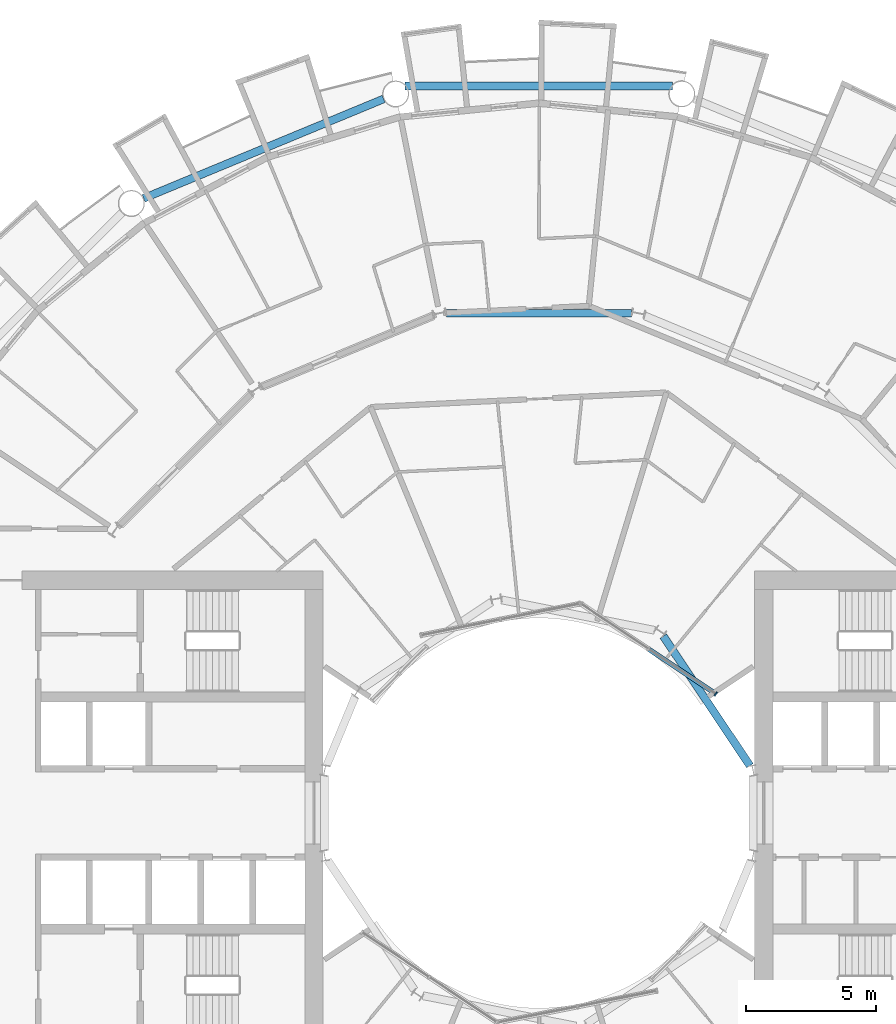
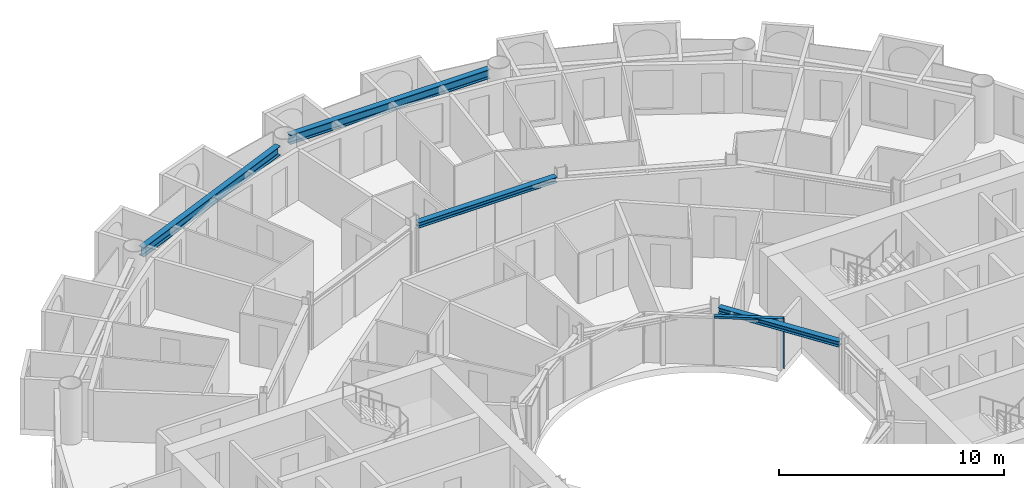
# One storey, part 8 of 26: 4 beams, 2 members, 1 element without a shape of its own.
"""IFC4 building model written with IfcOpenShell, lengths in metres."""

from ifc_helpers import new_model, si_unit, direction, frame, origin, origin_2d, place, context, subcontext, project, spatial, rectangle, i_section, extrude, material, layer, layer_set, material_profile, profile_set, type_object, element, aggregate, save


model = new_model("IFC4")

# Units and contexts
model_context = context("Model", 3, precision=1e-05, world=origin(), true_north=direction((0.0, 1.0)))
body_context = subcontext(model_context, "Body", "Model", "MODEL_VIEW")
ifc_project = project(units=[si_unit("LENGTHUNIT", "METRE"), si_unit("AREAUNIT", "SQUARE_METRE"), si_unit("VOLUMEUNIT", "CUBIC_METRE"), si_unit("PLANEANGLEUNIT", "RADIAN"), si_unit("MASSUNIT", "GRAM", prefix="KILO")], contexts=[model_context])

# Site, building, storey
site_placement = place(None, origin())
site = spatial("IfcSite", under=ifc_project, at=site_placement, CompositionType="ELEMENT")
building_placement = place(site_placement, origin())
building = spatial("IfcBuilding", under=site, at=building_placement, Name="Maasbend Ring Residences", CompositionType="ELEMENT")
storey_placement = place(building_placement, frame((0.0, 0.0, 69.699951171875)))
storey = spatial("IfcBuildingStorey", under=building, at=storey_placement, Name="L19", CompositionType="ELEMENT", Elevation=69.699951171875)

# Curtain wall, members
ifc_material_1 = material(Name="Aluminium and clear glass", Category="aluminium")
ifc_layer = layer(ifc_material_1, 0.179931640625)
ifc_layer_set = layer_set([ifc_layer], Name="CW-W")
curtain_wall_type = type_object("IfcCurtainWallType", Name="CW-W", PredefinedType="NOTDEFINED", material=ifc_layer_set)
curtain_wall_placement = place(storey_placement, origin())
curtain_wall = element("IfcCurtainWall", 1, at=curtain_wall_placement, inside=storey, type_object=curtain_wall_type, Name="Well curtain wall N1", PredefinedType="NOTDEFINED")
ifc_material_2 = material(Name="Aluminium 6063-T6", Category="aluminium")
ifc_material_profile_1 = material_profile(ifc_material_2, rectangle(XDim=0.179931640625, YDim=0.06005859375, at=origin_2d()), Name="AL 180x60")
ifc_profile_set_1 = profile_set([ifc_material_profile_1], Name="Aluminium 6063-T6")
member_type_1 = type_object("IfcMemberType", Name="CWM-W", PredefinedType="MULLION", material=ifc_profile_set_1)
member_1_placement = place(storey_placement, frame((6.805908203125, 4.580810546875, 0.0), z_axis=(0.0, 0.0, 1.0), x_axis=(-0.55557023302, -0.831469612303, 0.0)))
member_1 = element("IfcMember", 2, at=member_1_placement, type_object=member_type_1, Name="Mullion well face", PredefinedType="MULLION", context=body_context, shape_type="SweptSolid", body=[
    extrude(rectangle(XDim=0.179931640625, YDim=0.06005859375, at=origin_2d()), origin(), (0.0, 0.0, 1.0), 2.699951171875),
])
ifc_material_3 = material(Name="Aluminium 6063-T6", Category="aluminium")
ifc_material_profile_2 = material_profile(ifc_material_3, rectangle(XDim=0.179931640625, YDim=0.1201171875, at=origin_2d()), Name="AL 180x120")
ifc_profile_set_2 = profile_set([ifc_material_profile_2], Name="Aluminium 6063-T6")
member_type_2 = type_object("IfcMemberType", Name="CWT-W", PredefinedType="USERDEFINED", material=ifc_profile_set_2)
member_2_placement = place(storey_placement, frame((6.781005859375, 4.59765625, 2.64013671875), z_axis=(-0.831496422459, 0.555530106689, 0.0), x_axis=(-0.555530106689, -0.831496422459, 0.0)))
member_2 = element("IfcMember", 3, at=member_2_placement, type_object=member_type_2, Name="Transom well face", ObjectType="TRANSOM", PredefinedType="USERDEFINED", context=body_context, shape_type="SweptSolid", body=[
    extrude(rectangle(XDim=0.179931640625, YDim=0.1201171875, at=origin_2d()), origin(), (0.0, 0.0, 1.0), 3.053955078125),
])
aggregate(curtain_wall, [member_1, member_2])

# Beams
ifc_material_4 = material(Name="Steel S355J2", Category="steel")
ifc_material_profile_3 = material_profile(ifc_material_4, i_section(OverallWidth=0.300048828125, OverallDepth=0.300048828125, WebThickness=0.010986328125, FlangeThickness=0.01904296875, FilletRadius=0.027099609375, at=origin_2d()), Name="HEB 300")
ifc_profile_set_3 = profile_set([ifc_material_profile_3], Name="Steel S355J2")
beam_type_1 = type_object("IfcBeamType", Name="Corridor ring beam HEB 300", PredefinedType="BEAM", material=ifc_profile_set_3)
beam_1_placement = place(storey_placement, frame((3.556640625, 19.223388671875, 2.550048828125), z_axis=(-1.0, 0.0, 0.0), x_axis=(0.0, -1.0, 0.0)))
element("IfcBeam", 4, at=beam_1_placement, inside=storey, type_object=beam_type_1, Name="Corridor ring beam", PredefinedType="BEAM", context=body_context, shape_type="SweptSolid", body=[
    extrude(i_section(OverallWidth=0.300048828125, OverallDepth=0.300048828125, WebThickness=0.010986328125, FlangeThickness=0.01904296875, FilletRadius=0.027099609375, at=origin_2d()), origin(), (0.0, 0.0, 1.0), 7.11328125),
])
ifc_material_5 = material(Name="Steel S355J2", Category="steel")
ifc_material_profile_4 = material_profile(ifc_material_5, i_section(OverallWidth=0.300048828125, OverallDepth=0.5, WebThickness=0.014404296875, FlangeThickness=0.028076171875, FilletRadius=0.027099609375, at=origin_2d()), Name="HEB 500")
ifc_profile_set_4 = profile_set([ifc_material_profile_4], Name="Steel S355J2")
beam_type_2 = type_object("IfcBeamType", Name="Spandrel ring beam HEB 500", PredefinedType="SPANDREL", material=ifc_profile_set_4)
beam_2_placement = place(storey_placement, frame((5.1435546875, 27.9580078125, 2.449951171875), z_axis=(-1.0, 0.0, 0.0), x_axis=(0.0, -1.0, 0.0)))
element("IfcBeam", 5, at=beam_2_placement, inside=storey, type_object=beam_type_2, Name="Spandrel ring beam", PredefinedType="SPANDREL", context=body_context, shape_type="SweptSolid", body=[
    extrude(i_section(OverallWidth=0.300048828125, OverallDepth=0.5, WebThickness=0.014404296875, FlangeThickness=0.028076171875, FilletRadius=0.027099609375, at=origin_2d()), origin(), (0.0, 0.0, 1.0), 10.287109375),
])
beam_3_placement = place(storey_placement, frame((-5.970703125, 27.463623046875, 2.449951171875), z_axis=(-0.923886337442, -0.382667003395, 0.0), x_axis=(0.382667003395, -0.923886337442, 0.0)))
element("IfcBeam", 6, at=beam_3_placement, inside=storey, type_object=beam_type_2, Name="Spandrel ring beam", PredefinedType="SPANDREL", context=body_context, shape_type="SweptSolid", body=[
    extrude(i_section(OverallWidth=0.300048828125, OverallDepth=0.5, WebThickness=0.014404296875, FlangeThickness=0.028076171875, FilletRadius=0.027099609375, at=origin_2d()), origin(), (0.0, 0.0, 1.0), 9.9873046875),
])
ifc_material_6 = material(Name="Steel S355J2", Category="steel")
ifc_material_profile_5 = material_profile(ifc_material_6, i_section(OverallWidth=0.300048828125, OverallDepth=0.300048828125, WebThickness=0.010986328125, FlangeThickness=0.01904296875, FilletRadius=0.027099609375, at=origin_2d()), Name="HEB 300")
ifc_profile_set_5 = profile_set([ifc_material_profile_5], Name="Steel S355J2")
beam_type_3 = type_object("IfcBeamType", Name="Well edge beam HEB 300", PredefinedType="BEAM", material=ifc_profile_set_5)
beam_4_placement = place(storey_placement, frame((8.118408203125, 1.81884765625, 2.550048828125), z_axis=(-0.555592533493, 0.83145471117, 0.0), x_axis=(-0.83145471117, -0.555592533493, 0.0)))
element("IfcBeam", 7, at=beam_4_placement, inside=storey, type_object=beam_type_3, Name="Well edge beam", PredefinedType="BEAM", context=body_context, shape_type="SweptSolid", body=[
    extrude(i_section(OverallWidth=0.300048828125, OverallDepth=0.300048828125, WebThickness=0.010986328125, FlangeThickness=0.01904296875, FilletRadius=0.027099609375, at=origin_2d()), origin(), (0.0, 0.0, 1.0), 5.995849609375),
])

save(model, "model.ifc")
